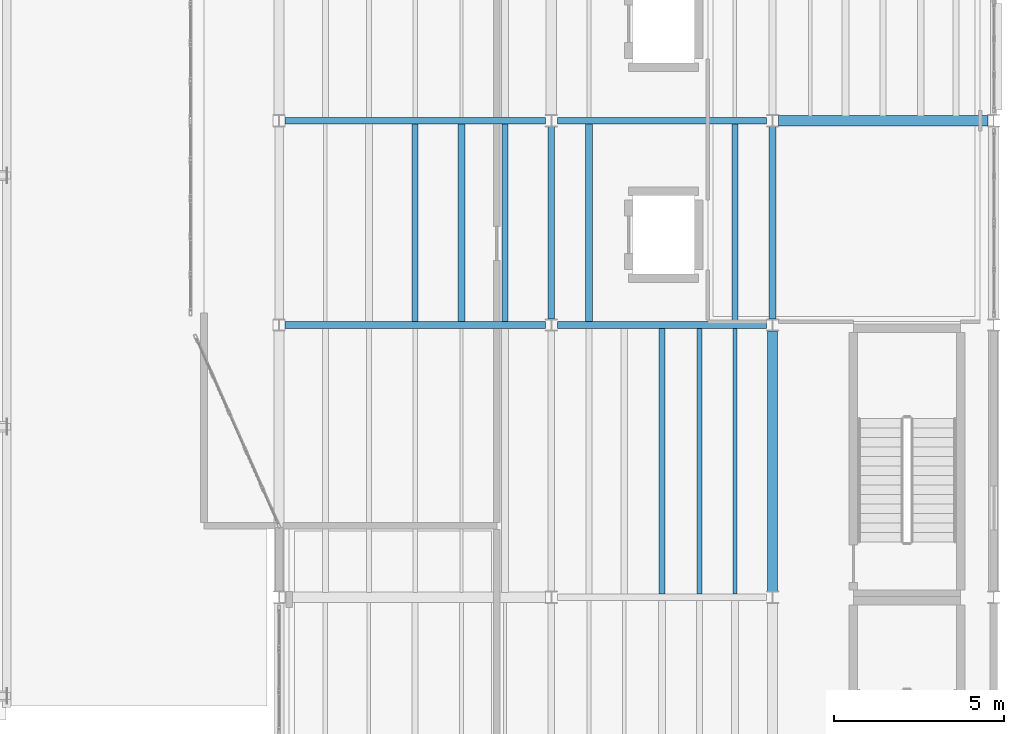
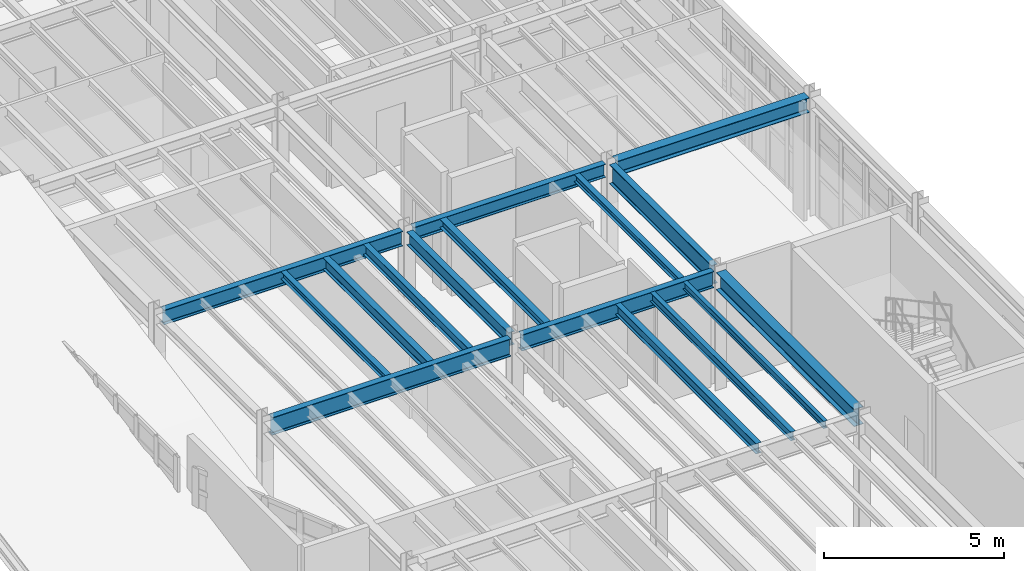
# One storey, part 34 of 77: 16 beams.
"""IFC4 building model written with IfcOpenShell, lengths in metres."""

from ifc_helpers import new_model, si_unit, direction, frame, origin, origin_2d, place, context, subcontext, project, spatial, i_section, extrude, material, material_profile, profile_set, type_object, element, save


model = new_model("IFC4")

# Units and contexts
model_context = context("Model", 3, precision=1e-05, world=origin(), true_north=direction((0.0, 1.0)))
body_context = subcontext(model_context, "Body", "Model", "MODEL_VIEW")
ifc_project = project(units=[si_unit("LENGTHUNIT", "METRE"), si_unit("AREAUNIT", "SQUARE_METRE"), si_unit("VOLUMEUNIT", "CUBIC_METRE"), si_unit("PLANEANGLEUNIT", "RADIAN"), si_unit("MASSUNIT", "GRAM", prefix="KILO"), si_unit("THERMODYNAMICTEMPERATUREUNIT", "KELVIN"), si_unit("POWERUNIT", "WATT")], contexts=[model_context])

# Site, building, storey
site_placement = place(None, origin())
site = spatial("IfcSite", under=ifc_project, at=site_placement, CompositionType="ELEMENT")
building_placement = place(site_placement, origin())
building = spatial("IfcBuilding", under=site, at=building_placement, Name="Zhenchuan Central Fire Station", CompositionType="ELEMENT")
storey_placement = place(building_placement, frame((0.0, 0.0, 10.050048828125)))
storey = spatial("IfcBuildingStorey", under=building, at=storey_placement, Name="L03", CompositionType="ELEMENT", Elevation=10.050048828125)

# Beams
ifc_material = material(Name="Steel Q355B", Category="steel")
ifc_material_profile_1 = material_profile(ifc_material, i_section(OverallWidth=0.300048828125, OverallDepth=0.5, WebThickness=0.010986328125, FlangeThickness=0.01806640625, FilletRadius=0.02197265625, at=origin_2d()), Name="HM 500x300")
ifc_profile_set_1 = profile_set([ifc_material_profile_1], Name="Steel Q355B")
beam_type_1 = type_object("IfcBeamType", Name="BM-HM500-INT", PredefinedType="BEAM", material=ifc_profile_set_1)
beam_1_placement = place(storey_placement, frame((154.675048828125, 28.5, 3.75), z_axis=(1.0, 0.0, 0.0), x_axis=(0.0, 1.0, 0.0)))
element("IfcBeam", 1, at=beam_1_placement, inside=storey, type_object=beam_type_1, Name="L04 Girder EW 0358", PredefinedType="BEAM", context=body_context, shape_type="SweptSolid", body=[
    extrude(i_section(OverallWidth=0.300048828125, OverallDepth=0.5, WebThickness=0.010986328125, FlangeThickness=0.01806640625, FilletRadius=0.02197265625, at=origin_2d()), origin(), (0.0, 0.0, 1.0), 6.14990234375),
])
ifc_material_profile_2 = material_profile(ifc_material, i_section(OverallWidth=0.300048828125, OverallDepth=0.587890625, WebThickness=0.011962890625, FlangeThickness=0.02001953125, FilletRadius=0.02392578125, at=origin_2d()), Name="HM 588x300")
ifc_profile_set_2 = profile_set([ifc_material_profile_2], Name="Steel Q355B")
beam_type_2 = type_object("IfcBeamType", Name="BM-HM588", PredefinedType="BEAM", material=ifc_profile_set_2)
beam_2_placement = place(storey_placement, frame((154.5, 14.675048828125, 3.7060546875), z_axis=(0.0, 1.0, 0.0), x_axis=(-1.0, 0.0, 0.0)))
element("IfcBeam", 2, at=beam_2_placement, inside=storey, type_object=beam_type_2, Name="L04 Girder NS 0418", PredefinedType="BEAM", context=body_context, shape_type="SweptSolid", body=[
    extrude(i_section(OverallWidth=0.300048828125, OverallDepth=0.587890625, WebThickness=0.011962890625, FlangeThickness=0.02001953125, FilletRadius=0.02392578125, at=origin_2d()), origin(), (0.0, 0.0, 1.0), 7.64990234375),
])
ifc_material_profile_3 = material_profile(ifc_material, i_section(OverallWidth=0.199951171875, OverallDepth=0.449951171875, WebThickness=0.009033203125, FlangeThickness=0.013916015625, FilletRadius=0.01806640625, at=origin_2d()), Name="HN 450x200")
ifc_profile_set_3 = profile_set([ifc_material_profile_3], Name="Steel Q355B")
beam_type_3 = type_object("IfcBeamType", Name="BM-HN450", PredefinedType="BEAM", material=ifc_profile_set_3)
beam_3_placement = place(storey_placement, frame((148.175048828125, 28.5, 3.77490234375), z_axis=(1.0, 0.0, 0.0), x_axis=(0.0, 1.0, 0.0)))
element("IfcBeam", 3, at=beam_3_placement, inside=storey, type_object=beam_type_3, Name="L04 Girder EW 0357", PredefinedType="BEAM", context=body_context, shape_type="SweptSolid", body=[
    extrude(i_section(OverallWidth=0.199951171875, OverallDepth=0.449951171875, WebThickness=0.009033203125, FlangeThickness=0.013916015625, FilletRadius=0.01806640625, at=origin_2d()), origin(), (0.0, 0.0, 1.0), 6.14990234375),
])
beam_4_placement = place(storey_placement, frame((148.0, 22.675048828125, 3.77490234375), z_axis=(0.0, 1.0, 0.0), x_axis=(-1.0, 0.0, 0.0)))
element("IfcBeam", 4, at=beam_4_placement, inside=storey, type_object=beam_type_3, Name="L04 Girder NS 0412", PredefinedType="BEAM", context=body_context, shape_type="SweptSolid", body=[
    extrude(i_section(OverallWidth=0.199951171875, OverallDepth=0.449951171875, WebThickness=0.009033203125, FlangeThickness=0.013916015625, FilletRadius=0.01806640625, at=origin_2d()), origin(), (0.0, 0.0, 1.0), 5.64990234375),
])
ifc_material_profile_4 = material_profile(ifc_material, i_section(OverallWidth=0.199951171875, OverallDepth=0.5, WebThickness=0.010009765625, FlangeThickness=0.01611328125, FilletRadius=0.02001953125, at=origin_2d()), Name="HN 500x200")
ifc_profile_set_4 = profile_set([ifc_material_profile_4], Name="Steel Q355B")
beam_type_4 = type_object("IfcBeamType", Name="BM-HN500-INT", PredefinedType="BEAM", material=ifc_profile_set_4)
beam_5_placement = place(storey_placement, frame((140.175048828125, 28.5, 3.75), z_axis=(1.0, 0.0, 0.0), x_axis=(0.0, 1.0, 0.0)))
element("IfcBeam", 5, at=beam_5_placement, inside=storey, type_object=beam_type_4, Name="L04 Girder EW 0356", PredefinedType="BEAM", context=body_context, shape_type="SweptSolid", body=[
    extrude(i_section(OverallWidth=0.199951171875, OverallDepth=0.5, WebThickness=0.010009765625, FlangeThickness=0.01611328125, FilletRadius=0.02001953125, at=origin_2d()), origin(), (0.0, 0.0, 1.0), 7.64990234375),
])
ifc_material_profile_5 = material_profile(ifc_material, i_section(OverallWidth=0.199951171875, OverallDepth=0.550048828125, WebThickness=0.010009765625, FlangeThickness=0.01611328125, FilletRadius=0.02001953125, at=origin_2d()), Name="HN 550x200")
ifc_profile_set_5 = profile_set([ifc_material_profile_5], Name="Steel Q355B")
beam_type_5 = type_object("IfcBeamType", Name="BM-HN550-INT", PredefinedType="BEAM", material=ifc_profile_set_5)
beam_6_placement = place(storey_placement, frame((148.175048828125, 22.5, 3.724853515625), z_axis=(1.0, 0.0, 0.0), x_axis=(0.0, 1.0, 0.0)))
element("IfcBeam", 6, at=beam_6_placement, inside=storey, type_object=beam_type_5, Name="L04 Girder EW 0355", PredefinedType="BEAM", context=body_context, shape_type="SweptSolid", body=[
    extrude(i_section(OverallWidth=0.199951171875, OverallDepth=0.550048828125, WebThickness=0.010009765625, FlangeThickness=0.01611328125, FilletRadius=0.02001953125, at=origin_2d()), origin(), (0.0, 0.0, 1.0), 6.14990234375),
])
ifc_material_profile_6 = material_profile(ifc_material, i_section(OverallWidth=0.199951171875, OverallDepth=0.60009765625, WebThickness=0.010986328125, FlangeThickness=0.01708984375, FilletRadius=0.02197265625, at=origin_2d()), Name="HN 600x200")
ifc_profile_set_6 = profile_set([ifc_material_profile_6], Name="Steel Q355B")
beam_type_6 = type_object("IfcBeamType", Name="BM-HN600-INT", PredefinedType="BEAM", material=ifc_profile_set_6)
beam_7_placement = place(storey_placement, frame((140.175048828125, 22.5, 3.699951171875), z_axis=(1.0, 0.0, 0.0), x_axis=(0.0, 1.0, 0.0)))
element("IfcBeam", 7, at=beam_7_placement, inside=storey, type_object=beam_type_6, Name="L04 Girder EW 0354", PredefinedType="BEAM", context=body_context, shape_type="SweptSolid", body=[
    extrude(i_section(OverallWidth=0.199951171875, OverallDepth=0.60009765625, WebThickness=0.010986328125, FlangeThickness=0.01708984375, FilletRadius=0.02197265625, at=origin_2d()), origin(), (0.0, 0.0, 1.0), 7.64990234375),
])
ifc_material_profile_7 = material_profile(ifc_material, i_section(OverallWidth=0.199951171875, OverallDepth=0.64990234375, WebThickness=0.011962890625, FlangeThickness=0.02001953125, FilletRadius=0.02197265625, at=origin_2d()), Name="HN 650x200")
ifc_profile_set_7 = profile_set([ifc_material_profile_7], Name="Steel Q355B")
beam_type_7 = type_object("IfcBeamType", Name="BM-HN650", PredefinedType="BEAM", material=ifc_profile_set_7)
beam_8_placement = place(storey_placement, frame((154.5, 22.675048828125, 3.675048828125), z_axis=(0.0, 1.0, 0.0), x_axis=(-1.0, 0.0, 0.0)))
element("IfcBeam", 8, at=beam_8_placement, inside=storey, type_object=beam_type_7, Name="L04 Girder NS 0419", PredefinedType="BEAM", context=body_context, shape_type="SweptSolid", body=[
    extrude(i_section(OverallWidth=0.199951171875, OverallDepth=0.64990234375, WebThickness=0.011962890625, FlangeThickness=0.02001953125, FilletRadius=0.02197265625, at=origin_2d()), origin(), (0.0, 0.0, 1.0), 5.64990234375),
])
ifc_material_profile_8 = material_profile(ifc_material, i_section(OverallWidth=0.175048828125, OverallDepth=0.243896484375, WebThickness=0.007080078125, FlangeThickness=0.010986328125, FilletRadius=0.012939453125, at=origin_2d()), Name="HM 244x175")
ifc_profile_set_8 = profile_set([ifc_material_profile_8], Name="Steel Q355B")
beam_type_8 = type_object("IfcBeamType", Name="JS-HM244", PredefinedType="JOIST", material=ifc_profile_set_8)
for number, where, z_axis, x_axis, name in (
    (9, (144.0, 22.596923828125, 3.8779296875), (0.0, 1.0, 0.0), (-1.0, 0.0, 0.0), "L04 Secondary Joist 0602"),
    (10, (153.39501953125, 22.596923828125, 3.8779296875), (0.0, 1.0, 0.0), (-1.0, 0.0, 0.0), "L04 Secondary Joist 0606"),
):
    element("IfcBeam", number, at=place(storey_placement, frame(where, z_axis=z_axis, x_axis=x_axis)), inside=storey, type_object=beam_type_8, Name=name, PredefinedType="JOIST", context=body_context, shape_type="SweptSolid", body=[
        extrude(i_section(OverallWidth=0.175048828125, OverallDepth=0.243896484375, WebThickness=0.007080078125, FlangeThickness=0.010986328125, FilletRadius=0.012939453125, at=origin_2d()), origin(), (0.0, 0.0, 1.0), 5.80615234375),
    ])
ifc_material_profile_9 = material_profile(ifc_material, i_section(OverallWidth=0.199951171875, OverallDepth=0.2939453125, WebThickness=0.008056640625, FlangeThickness=0.011962890625, FilletRadius=0.01611328125, at=origin_2d()), Name="HM 294x200")
ifc_profile_set_9 = profile_set([ifc_material_profile_9], Name="Steel Q355B")
beam_type_9 = type_object("IfcBeamType", Name="JS-HM294", PredefinedType="JOIST", material=ifc_profile_set_9)
beam_9_placement = place(storey_placement, frame((149.10498046875, 22.596923828125, 3.85302734375), z_axis=(0.0, 1.0, 0.0), x_axis=(-1.0, 0.0, 0.0)))
element("IfcBeam", 11, at=beam_9_placement, inside=storey, type_object=beam_type_9, Name="L04 Secondary Joist 0605", PredefinedType="JOIST", context=body_context, shape_type="SweptSolid", body=[
    extrude(i_section(OverallWidth=0.199951171875, OverallDepth=0.2939453125, WebThickness=0.008056640625, FlangeThickness=0.011962890625, FilletRadius=0.01611328125, at=origin_2d()), origin(), (0.0, 0.0, 1.0), 5.80615234375),
])
ifc_material_profile_10 = material_profile(ifc_material, i_section(OverallWidth=0.125, OverallDepth=0.25, WebThickness=0.006103515625, FlangeThickness=0.009033203125, FilletRadius=0.011962890625, at=origin_2d()), Name="HN 250x125")
ifc_profile_set_10 = profile_set([ifc_material_profile_10], Name="Steel Q355B")
beam_type_10 = type_object("IfcBeamType", Name="JS-HN250", PredefinedType="JOIST", material=ifc_profile_set_10)
beam_10_placement = place(storey_placement, frame((153.39501953125, 14.596923828125, 3.875), z_axis=(0.0, 1.0, 0.0), x_axis=(-1.0, 0.0, 0.0)))
element("IfcBeam", 12, at=beam_10_placement, inside=storey, type_object=beam_type_10, Name="L04 Secondary Joist 0599", PredefinedType="JOIST", context=body_context, shape_type="SweptSolid", body=[
    extrude(i_section(OverallWidth=0.125, OverallDepth=0.25, WebThickness=0.006103515625, FlangeThickness=0.009033203125, FilletRadius=0.011962890625, at=origin_2d()), origin(), (0.0, 0.0, 1.0), 7.80615234375),
])
ifc_material_profile_11 = material_profile(ifc_material, i_section(OverallWidth=0.14990234375, OverallDepth=0.300048828125, WebThickness=0.006591796875, FlangeThickness=0.009033203125, FilletRadius=0.012939453125, at=origin_2d()), Name="HN 300x150")
ifc_profile_set_11 = profile_set([ifc_material_profile_11], Name="Steel Q355B")
beam_type_11 = type_object("IfcBeamType", Name="JS-HN300", PredefinedType="JOIST", material=ifc_profile_set_11)
beam_11_placement = place(storey_placement, frame((152.35498046875, 14.596923828125, 3.849853515625), z_axis=(0.0, 1.0, 0.0), x_axis=(-1.0, 0.0, 0.0)))
element("IfcBeam", 13, at=beam_11_placement, inside=storey, type_object=beam_type_11, Name="L04 Secondary Joist 0598", PredefinedType="JOIST", context=body_context, shape_type="SweptSolid", body=[
    extrude(i_section(OverallWidth=0.14990234375, OverallDepth=0.300048828125, WebThickness=0.006591796875, FlangeThickness=0.009033203125, FilletRadius=0.012939453125, at=origin_2d()), origin(), (0.0, 0.0, 1.0), 7.80615234375),
])
ifc_material_profile_12 = material_profile(ifc_material, i_section(OverallWidth=0.175048828125, OverallDepth=0.35009765625, WebThickness=0.007080078125, FlangeThickness=0.010986328125, FilletRadius=0.013916015625, at=origin_2d()), Name="HN 350x175")
ifc_profile_set_12 = profile_set([ifc_material_profile_12], Name="Steel Q355B")
beam_type_12 = type_object("IfcBeamType", Name="JS-HN350", PredefinedType="JOIST", material=ifc_profile_set_12)
beam_12_placement = place(storey_placement, frame((151.25, 14.596923828125, 3.824951171875), z_axis=(0.0, 1.0, 0.0), x_axis=(-1.0, 0.0, 0.0)))
element("IfcBeam", 14, at=beam_12_placement, inside=storey, type_object=beam_type_12, Name="L04 Secondary Joist 0597", PredefinedType="JOIST", context=body_context, shape_type="SweptSolid", body=[
    extrude(i_section(OverallWidth=0.175048828125, OverallDepth=0.35009765625, WebThickness=0.007080078125, FlangeThickness=0.010986328125, FilletRadius=0.013916015625, at=origin_2d()), origin(), (0.0, 0.0, 1.0), 7.80615234375),
])
beam_13_placement = place(storey_placement, frame((146.639892578125, 22.596923828125, 3.824951171875), z_axis=(0.0, 1.0, 0.0), x_axis=(-1.0, 0.0, 0.0)))
element("IfcBeam", 15, at=beam_13_placement, inside=storey, type_object=beam_type_12, Name="L04 Secondary Joist 0604", PredefinedType="JOIST", context=body_context, shape_type="SweptSolid", body=[
    extrude(i_section(OverallWidth=0.175048828125, OverallDepth=0.35009765625, WebThickness=0.007080078125, FlangeThickness=0.010986328125, FilletRadius=0.013916015625, at=origin_2d()), origin(), (0.0, 0.0, 1.0), 5.80615234375),
])
ifc_material_profile_13 = material_profile(ifc_material, i_section(OverallWidth=0.199951171875, OverallDepth=0.39990234375, WebThickness=0.008056640625, FlangeThickness=0.012939453125, FilletRadius=0.01611328125, at=origin_2d()), Name="HN 400x200")
ifc_profile_set_13 = profile_set([ifc_material_profile_13], Name="Steel Q355B")
beam_type_13 = type_object("IfcBeamType", Name="JS-HN400", PredefinedType="JOIST", material=ifc_profile_set_13)
beam_14_placement = place(storey_placement, frame((145.360107421875, 22.596923828125, 3.800048828125), z_axis=(0.0, 1.0, 0.0), x_axis=(-1.0, 0.0, 0.0)))
element("IfcBeam", 16, at=beam_14_placement, inside=storey, type_object=beam_type_13, Name="L04 Secondary Joist 0603", PredefinedType="JOIST", context=body_context, shape_type="SweptSolid", body=[
    extrude(i_section(OverallWidth=0.199951171875, OverallDepth=0.39990234375, WebThickness=0.008056640625, FlangeThickness=0.012939453125, FilletRadius=0.01611328125, at=origin_2d()), origin(), (0.0, 0.0, 1.0), 5.80615234375),
])

save(model, "model.ifc")
